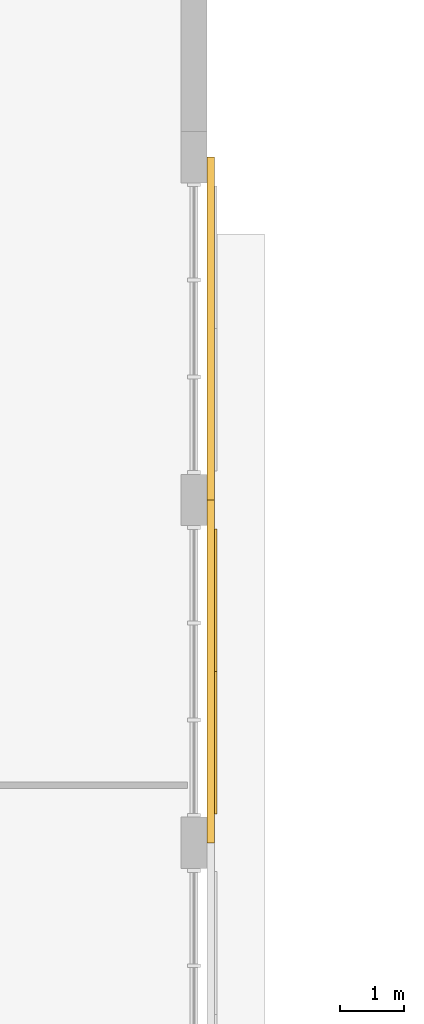
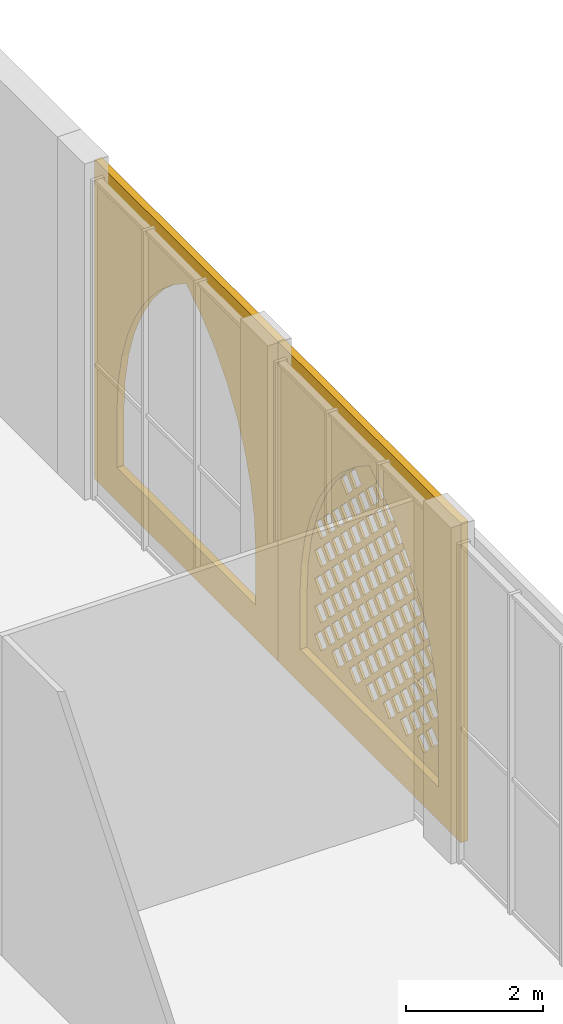
# One storey, part 40 of 74: 3 coverings.
"""IFC4 building model written with IfcOpenShell, lengths in metres."""

from ifc_helpers import new_model, si_unit, direction, frame, origin, place, context, subcontext, project, spatial, polyline, outline, extrude, material, layer, layer_set, type_object, element, save


model = new_model("IFC4")

# Units and contexts
model_context = context("Model", 3, precision=1e-05, world=origin(), true_north=direction((0.0, 1.0)))
body_context = subcontext(model_context, "Body", "Model", "MODEL_VIEW")
ifc_project = project(units=[si_unit("LENGTHUNIT", "METRE"), si_unit("AREAUNIT", "SQUARE_METRE"), si_unit("VOLUMEUNIT", "CUBIC_METRE"), si_unit("PLANEANGLEUNIT", "RADIAN"), si_unit("MASSUNIT", "GRAM", prefix="KILO")], contexts=[model_context])

# Site, building, storey
site_placement = place(None, origin())
site = spatial("IfcSite", under=ifc_project, at=site_placement, CompositionType="ELEMENT")
building_placement = place(site_placement, origin())
building = spatial("IfcBuilding", under=site, at=building_placement, Name="Noorbagh Ring Tower", CompositionType="ELEMENT")
storey_placement = place(building_placement, frame((0.0, 0.0, 7.5)))
storey = spatial("IfcBuildingStorey", under=building, at=storey_placement, Name="L01", CompositionType="ELEMENT", Elevation=7.5)

# Coverings
ifc_material_1 = material(Name="Red sandstone jali", Category="masonry")
ifc_layer_1 = layer(ifc_material_1, 0.0400390625)
ifc_layer_set_1 = layer_set([ifc_layer_1], Name="Red sandstone jali")
covering_type_1 = type_object("IfcCoveringType", Name="STH-JALI", PredefinedType="USERDEFINED", material=ifc_layer_set_1)
covering_1_placement = place(storey_placement, frame((-94.840087890625, -9.25, 0.39990234375), z_axis=(1.0, 0.0, 0.0), x_axis=(0.0, 1.0, 0.0)))
element("IfcCovering", 1, at=covering_1_placement, inside=storey, type_object=covering_type_1, Name="Jali screen", ObjectType="SCREEN", PredefinedType="USERDEFINED", context=body_context, shape_type="SweptSolid", body=[
    extrude(outline(polyline([(0.0, 0.0), (4.449951171875, 0.0), (4.449951171875, 1.0), (4.411865234375, 1.580810546875), (4.29833984375, 2.15185546875), (4.111328125, 2.702880859375), (3.853759765625, 3.22509765625), (3.530517578125, 3.708984375), (3.146484375, 4.146728515625), (2.708984375, 4.530517578125), (2.22509765625, 4.85400390625), (1.740966796875, 4.530517578125), (1.303466796875, 4.146728515625), (0.919677734375, 3.708984375), (0.59619140625, 3.22509765625), (0.338623046875, 2.702880859375), (0.151611328125, 2.15185546875), (0.0380859375, 1.580810546875), (0.0, 1.0), (0.0, 0.0)]), holes=[polyline([(0.669921875, 0.552001953125), (0.85009765625, 0.371826171875), (1.030029296875, 0.552001953125), (0.85009765625, 0.73193359375), (0.669921875, 0.552001953125)]), polyline([(1.169921875, 0.552001953125), (1.35009765625, 0.371826171875), (1.530029296875, 0.552001953125), (1.35009765625, 0.73193359375), (1.169921875, 0.552001953125)]), polyline([(1.669921875, 0.552001953125), (1.85009765625, 0.371826171875), (2.030029296875, 0.552001953125), (1.85009765625, 0.73193359375), (1.669921875, 0.552001953125)]), polyline([(2.169921875, 0.552001953125), (2.35009765625, 0.371826171875), (2.530029296875, 0.552001953125), (2.35009765625, 0.73193359375), (2.169921875, 0.552001953125)]), polyline([(2.669921875, 0.552001953125), (2.85009765625, 0.371826171875), (3.030029296875, 0.552001953125), (2.85009765625, 0.73193359375), (2.669921875, 0.552001953125)]), polyline([(3.169921875, 0.552001953125), (3.35009765625, 0.371826171875), (3.530029296875, 0.552001953125), (3.35009765625, 0.73193359375), (3.169921875, 0.552001953125)]), polyline([(3.669921875, 0.552001953125), (3.85009765625, 0.371826171875), (4.030029296875, 0.552001953125), (3.85009765625, 0.73193359375), (3.669921875, 0.552001953125)]), polyline([(0.419921875, 0.802001953125), (0.60009765625, 0.621826171875), (0.780029296875, 0.802001953125), (0.60009765625, 0.98193359375), (0.419921875, 0.802001953125)]), polyline([(0.919921875, 0.802001953125), (1.10009765625, 0.621826171875), (1.280029296875, 0.802001953125), (1.10009765625, 0.98193359375), (0.919921875, 0.802001953125)]), polyline([(1.419921875, 0.802001953125), (1.60009765625, 0.621826171875), (1.780029296875, 0.802001953125), (1.60009765625, 0.98193359375), (1.419921875, 0.802001953125)]), polyline([(1.919921875, 0.802001953125), (2.10009765625, 0.621826171875), (2.280029296875, 0.802001953125), (2.10009765625, 0.98193359375), (1.919921875, 0.802001953125)]), polyline([(2.419921875, 0.802001953125), (2.60009765625, 0.621826171875), (2.780029296875, 0.802001953125), (2.60009765625, 0.98193359375), (2.419921875, 0.802001953125)]), polyline([(2.919921875, 0.802001953125), (3.10009765625, 0.621826171875), (3.280029296875, 0.802001953125), (3.10009765625, 0.98193359375), (2.919921875, 0.802001953125)]), polyline([(3.419921875, 0.802001953125), (3.60009765625, 0.621826171875), (3.780029296875, 0.802001953125), (3.60009765625, 0.98193359375), (3.419921875, 0.802001953125)]), polyline([(0.669921875, 1.052001953125), (0.85009765625, 0.871826171875), (1.030029296875, 1.052001953125), (0.85009765625, 1.23193359375), (0.669921875, 1.052001953125)]), polyline([(1.169921875, 1.052001953125), (1.35009765625, 0.871826171875), (1.530029296875, 1.052001953125), (1.35009765625, 1.23193359375), (1.169921875, 1.052001953125)]), polyline([(1.669921875, 1.052001953125), (1.85009765625, 0.871826171875), (2.030029296875, 1.052001953125), (1.85009765625, 1.23193359375), (1.669921875, 1.052001953125)]), polyline([(2.169921875, 1.052001953125), (2.35009765625, 0.871826171875), (2.530029296875, 1.052001953125), (2.35009765625, 1.23193359375), (2.169921875, 1.052001953125)]), polyline([(2.669921875, 1.052001953125), (2.85009765625, 0.871826171875), (3.030029296875, 1.052001953125), (2.85009765625, 1.23193359375), (2.669921875, 1.052001953125)]), polyline([(3.169921875, 1.052001953125), (3.35009765625, 0.871826171875), (3.530029296875, 1.052001953125), (3.35009765625, 1.23193359375), (3.169921875, 1.052001953125)]), polyline([(3.669921875, 1.052001953125), (3.85009765625, 0.871826171875), (4.030029296875, 1.052001953125), (3.85009765625, 1.23193359375), (3.669921875, 1.052001953125)]), polyline([(0.419921875, 1.302001953125), (0.60009765625, 1.121826171875), (0.780029296875, 1.302001953125), (0.60009765625, 1.48193359375), (0.419921875, 1.302001953125)]), polyline([(0.919921875, 1.302001953125), (1.10009765625, 1.121826171875), (1.280029296875, 1.302001953125), (1.10009765625, 1.48193359375), (0.919921875, 1.302001953125)]), polyline([(1.419921875, 1.302001953125), (1.60009765625, 1.121826171875), (1.780029296875, 1.302001953125), (1.60009765625, 1.48193359375), (1.419921875, 1.302001953125)]), polyline([(1.919921875, 1.302001953125), (2.10009765625, 1.121826171875), (2.280029296875, 1.302001953125), (2.10009765625, 1.48193359375), (1.919921875, 1.302001953125)]), polyline([(2.419921875, 1.302001953125), (2.60009765625, 1.121826171875), (2.780029296875, 1.302001953125), (2.60009765625, 1.48193359375), (2.419921875, 1.302001953125)]), polyline([(2.919921875, 1.302001953125), (3.10009765625, 1.121826171875), (3.280029296875, 1.302001953125), (3.10009765625, 1.48193359375), (2.919921875, 1.302001953125)]), polyline([(3.419921875, 1.302001953125), (3.60009765625, 1.121826171875), (3.780029296875, 1.302001953125), (3.60009765625, 1.48193359375), (3.419921875, 1.302001953125)]), polyline([(0.669921875, 1.552001953125), (0.85009765625, 1.371826171875), (1.030029296875, 1.552001953125), (0.85009765625, 1.73193359375), (0.669921875, 1.552001953125)]), polyline([(1.169921875, 1.552001953125), (1.35009765625, 1.371826171875), (1.530029296875, 1.552001953125), (1.35009765625, 1.73193359375), (1.169921875, 1.552001953125)]), polyline([(1.669921875, 1.552001953125), (1.85009765625, 1.371826171875), (2.030029296875, 1.552001953125), (1.85009765625, 1.73193359375), (1.669921875, 1.552001953125)]), polyline([(2.169921875, 1.552001953125), (2.35009765625, 1.371826171875), (2.530029296875, 1.552001953125), (2.35009765625, 1.73193359375), (2.169921875, 1.552001953125)]), polyline([(2.669921875, 1.552001953125), (2.85009765625, 1.371826171875), (3.030029296875, 1.552001953125), (2.85009765625, 1.73193359375), (2.669921875, 1.552001953125)]), polyline([(3.169921875, 1.552001953125), (3.35009765625, 1.371826171875), (3.530029296875, 1.552001953125), (3.35009765625, 1.73193359375), (3.169921875, 1.552001953125)]), polyline([(3.669921875, 1.552001953125), (3.85009765625, 1.371826171875), (4.030029296875, 1.552001953125), (3.85009765625, 1.73193359375), (3.669921875, 1.552001953125)]), polyline([(0.419921875, 1.802001953125), (0.60009765625, 1.621826171875), (0.780029296875, 1.802001953125), (0.60009765625, 1.98193359375), (0.419921875, 1.802001953125)]), polyline([(0.919921875, 1.802001953125), (1.10009765625, 1.621826171875), (1.280029296875, 1.802001953125), (1.10009765625, 1.98193359375), (0.919921875, 1.802001953125)]), polyline([(1.419921875, 1.802001953125), (1.60009765625, 1.621826171875), (1.780029296875, 1.802001953125), (1.60009765625, 1.98193359375), (1.419921875, 1.802001953125)]), polyline([(1.919921875, 1.802001953125), (2.10009765625, 1.621826171875), (2.280029296875, 1.802001953125), (2.10009765625, 1.98193359375), (1.919921875, 1.802001953125)]), polyline([(2.419921875, 1.802001953125), (2.60009765625, 1.621826171875), (2.780029296875, 1.802001953125), (2.60009765625, 1.98193359375), (2.419921875, 1.802001953125)]), polyline([(2.919921875, 1.802001953125), (3.10009765625, 1.621826171875), (3.280029296875, 1.802001953125), (3.10009765625, 1.98193359375), (2.919921875, 1.802001953125)]), polyline([(3.419921875, 1.802001953125), (3.60009765625, 1.621826171875), (3.780029296875, 1.802001953125), (3.60009765625, 1.98193359375), (3.419921875, 1.802001953125)]), polyline([(0.669921875, 2.052001953125), (0.85009765625, 1.871826171875), (1.030029296875, 2.052001953125), (0.85009765625, 2.23193359375), (0.669921875, 2.052001953125)]), polyline([(1.169921875, 2.052001953125), (1.35009765625, 1.871826171875), (1.530029296875, 2.052001953125), (1.35009765625, 2.23193359375), (1.169921875, 2.052001953125)]), polyline([(1.669921875, 2.052001953125), (1.85009765625, 1.871826171875), (2.030029296875, 2.052001953125), (1.85009765625, 2.23193359375), (1.669921875, 2.052001953125)]), polyline([(2.169921875, 2.052001953125), (2.35009765625, 1.871826171875), (2.530029296875, 2.052001953125), (2.35009765625, 2.23193359375), (2.169921875, 2.052001953125)]), polyline([(2.669921875, 2.052001953125), (2.85009765625, 1.871826171875), (3.030029296875, 2.052001953125), (2.85009765625, 2.23193359375), (2.669921875, 2.052001953125)]), polyline([(3.169921875, 2.052001953125), (3.35009765625, 1.871826171875), (3.530029296875, 2.052001953125), (3.35009765625, 2.23193359375), (3.169921875, 2.052001953125)]), polyline([(3.669921875, 2.052001953125), (3.85009765625, 1.871826171875), (4.030029296875, 2.052001953125), (3.85009765625, 2.23193359375), (3.669921875, 2.052001953125)]), polyline([(0.419921875, 2.302001953125), (0.60009765625, 2.121826171875), (0.780029296875, 2.302001953125), (0.60009765625, 2.48193359375), (0.419921875, 2.302001953125)]), polyline([(0.919921875, 2.302001953125), (1.10009765625, 2.121826171875), (1.280029296875, 2.302001953125), (1.10009765625, 2.48193359375), (0.919921875, 2.302001953125)]), polyline([(1.419921875, 2.302001953125), (1.60009765625, 2.121826171875), (1.780029296875, 2.302001953125), (1.60009765625, 2.48193359375), (1.419921875, 2.302001953125)]), polyline([(1.919921875, 2.302001953125), (2.10009765625, 2.121826171875), (2.280029296875, 2.302001953125), (2.10009765625, 2.48193359375), (1.919921875, 2.302001953125)]), polyline([(2.419921875, 2.302001953125), (2.60009765625, 2.121826171875), (2.780029296875, 2.302001953125), (2.60009765625, 2.48193359375), (2.419921875, 2.302001953125)]), polyline([(2.919921875, 2.302001953125), (3.10009765625, 2.121826171875), (3.280029296875, 2.302001953125), (3.10009765625, 2.48193359375), (2.919921875, 2.302001953125)]), polyline([(3.419921875, 2.302001953125), (3.60009765625, 2.121826171875), (3.780029296875, 2.302001953125), (3.60009765625, 2.48193359375), (3.419921875, 2.302001953125)]), polyline([(0.669921875, 2.552001953125), (0.85009765625, 2.371826171875), (1.030029296875, 2.552001953125), (0.85009765625, 2.73193359375), (0.669921875, 2.552001953125)]), polyline([(1.169921875, 2.552001953125), (1.35009765625, 2.371826171875), (1.530029296875, 2.552001953125), (1.35009765625, 2.73193359375), (1.169921875, 2.552001953125)]), polyline([(1.669921875, 2.552001953125), (1.85009765625, 2.371826171875), (2.030029296875, 2.552001953125), (1.85009765625, 2.73193359375), (1.669921875, 2.552001953125)]), polyline([(2.169921875, 2.552001953125), (2.35009765625, 2.371826171875), (2.530029296875, 2.552001953125), (2.35009765625, 2.73193359375), (2.169921875, 2.552001953125)]), polyline([(2.669921875, 2.552001953125), (2.85009765625, 2.371826171875), (3.030029296875, 2.552001953125), (2.85009765625, 2.73193359375), (2.669921875, 2.552001953125)]), polyline([(3.169921875, 2.552001953125), (3.35009765625, 2.371826171875), (3.530029296875, 2.552001953125), (3.35009765625, 2.73193359375), (3.169921875, 2.552001953125)]), polyline([(3.669921875, 2.552001953125), (3.85009765625, 2.371826171875), (4.030029296875, 2.552001953125), (3.85009765625, 2.73193359375), (3.669921875, 2.552001953125)]), polyline([(0.919921875, 2.802001953125), (1.10009765625, 2.621826171875), (1.280029296875, 2.802001953125), (1.10009765625, 2.98193359375), (0.919921875, 2.802001953125)]), polyline([(1.419921875, 2.802001953125), (1.60009765625, 2.621826171875), (1.780029296875, 2.802001953125), (1.60009765625, 2.98193359375), (1.419921875, 2.802001953125)]), polyline([(1.919921875, 2.802001953125), (2.10009765625, 2.621826171875), (2.280029296875, 2.802001953125), (2.10009765625, 2.98193359375), (1.919921875, 2.802001953125)]), polyline([(2.419921875, 2.802001953125), (2.60009765625, 2.621826171875), (2.780029296875, 2.802001953125), (2.60009765625, 2.98193359375), (2.419921875, 2.802001953125)]), polyline([(2.919921875, 2.802001953125), (3.10009765625, 2.621826171875), (3.280029296875, 2.802001953125), (3.10009765625, 2.98193359375), (2.919921875, 2.802001953125)]), polyline([(3.419921875, 2.802001953125), (3.60009765625, 2.621826171875), (3.780029296875, 2.802001953125), (3.60009765625, 2.98193359375), (3.419921875, 2.802001953125)]), polyline([(0.669921875, 3.052001953125), (0.85009765625, 2.871826171875), (1.030029296875, 3.052001953125), (0.85009765625, 3.23193359375), (0.669921875, 3.052001953125)]), polyline([(1.169921875, 3.052001953125), (1.35009765625, 2.871826171875), (1.530029296875, 3.052001953125), (1.35009765625, 3.23193359375), (1.169921875, 3.052001953125)]), polyline([(1.669921875, 3.052001953125), (1.85009765625, 2.871826171875), (2.030029296875, 3.052001953125), (1.85009765625, 3.23193359375), (1.669921875, 3.052001953125)]), polyline([(2.169921875, 3.052001953125), (2.35009765625, 2.871826171875), (2.530029296875, 3.052001953125), (2.35009765625, 3.23193359375), (2.169921875, 3.052001953125)]), polyline([(2.669921875, 3.052001953125), (2.85009765625, 2.871826171875), (3.030029296875, 3.052001953125), (2.85009765625, 3.23193359375), (2.669921875, 3.052001953125)]), polyline([(3.169921875, 3.052001953125), (3.35009765625, 2.871826171875), (3.530029296875, 3.052001953125), (3.35009765625, 3.23193359375), (3.169921875, 3.052001953125)]), polyline([(0.919921875, 3.302001953125), (1.10009765625, 3.121826171875), (1.280029296875, 3.302001953125), (1.10009765625, 3.48193359375), (0.919921875, 3.302001953125)]), polyline([(1.419921875, 3.302001953125), (1.60009765625, 3.121826171875), (1.780029296875, 3.302001953125), (1.60009765625, 3.48193359375), (1.419921875, 3.302001953125)]), polyline([(1.919921875, 3.302001953125), (2.10009765625, 3.121826171875), (2.280029296875, 3.302001953125), (2.10009765625, 3.48193359375), (1.919921875, 3.302001953125)]), polyline([(2.419921875, 3.302001953125), (2.60009765625, 3.121826171875), (2.780029296875, 3.302001953125), (2.60009765625, 3.48193359375), (2.419921875, 3.302001953125)]), polyline([(2.919921875, 3.302001953125), (3.10009765625, 3.121826171875), (3.280029296875, 3.302001953125), (3.10009765625, 3.48193359375), (2.919921875, 3.302001953125)]), polyline([(1.169921875, 3.552001953125), (1.35009765625, 3.371826171875), (1.530029296875, 3.552001953125), (1.35009765625, 3.73193359375), (1.169921875, 3.552001953125)]), polyline([(1.669921875, 3.552001953125), (1.85009765625, 3.371826171875), (2.030029296875, 3.552001953125), (1.85009765625, 3.73193359375), (1.669921875, 3.552001953125)]), polyline([(2.169921875, 3.552001953125), (2.35009765625, 3.371826171875), (2.530029296875, 3.552001953125), (2.35009765625, 3.73193359375), (2.169921875, 3.552001953125)]), polyline([(2.669921875, 3.552001953125), (2.85009765625, 3.371826171875), (3.030029296875, 3.552001953125), (2.85009765625, 3.73193359375), (2.669921875, 3.552001953125)]), polyline([(1.419921875, 3.802001953125), (1.60009765625, 3.621826171875), (1.780029296875, 3.802001953125), (1.60009765625, 3.98193359375), (1.419921875, 3.802001953125)]), polyline([(1.919921875, 3.802001953125), (2.10009765625, 3.621826171875), (2.280029296875, 3.802001953125), (2.10009765625, 3.98193359375), (1.919921875, 3.802001953125)]), polyline([(2.419921875, 3.802001953125), (2.60009765625, 3.621826171875), (2.780029296875, 3.802001953125), (2.60009765625, 3.98193359375), (2.419921875, 3.802001953125)]), polyline([(2.919921875, 3.802001953125), (3.10009765625, 3.621826171875), (3.280029296875, 3.802001953125), (3.10009765625, 3.98193359375), (2.919921875, 3.802001953125)]), polyline([(1.669921875, 4.052001953125), (1.85009765625, 3.871826171875), (2.030029296875, 4.052001953125), (1.85009765625, 4.23193359375), (1.669921875, 4.052001953125)]), polyline([(2.169921875, 4.052001953125), (2.35009765625, 3.871826171875), (2.530029296875, 4.052001953125), (2.35009765625, 4.23193359375), (2.169921875, 4.052001953125)]), polyline([(2.669921875, 4.052001953125), (2.85009765625, 3.871826171875), (3.030029296875, 4.052001953125), (2.85009765625, 4.23193359375), (2.669921875, 4.052001953125)]), polyline([(1.919921875, 4.302001953125), (2.10009765625, 4.121826171875), (2.280029296875, 4.302001953125), (2.10009765625, 4.48193359375), (1.919921875, 4.302001953125)])]), origin(), (0.0, 0.0, -1.0), 0.0400390625),
])
ifc_material_2 = material(Name="Red sandstone cladding", Category="masonry")
ifc_layer_2 = layer(ifc_material_2, 0.1201171875)
ifc_layer_set_2 = layer_set([ifc_layer_2], Name="Red sandstone cladding")
covering_type_2 = type_object("IfcCoveringType", Name="STH-SPANDREL", PredefinedType="USERDEFINED", material=ifc_layer_set_2)
covering_2_placement = place(storey_placement, frame((-94.8798828125, -9.699951171875, 0.0), z_axis=(1.0, 0.0, 0.0), x_axis=(0.0, 1.0, 0.0)))
element("IfcCovering", 2, at=covering_2_placement, inside=storey, type_object=covering_type_2, Name="Arch spandrel", ObjectType="ARCH", PredefinedType="USERDEFINED", context=body_context, shape_type="SweptSolid", body=[
    extrude(outline(polyline([(0.0, 0.0), (5.349853515625, 0.0), (5.349853515625, 5.699951171875), (0.0, 5.699951171875), (0.0, 0.0)]), holes=[polyline([(0.64990234375, 0.60009765625), (0.64990234375, 1.60009765625), (0.6845703125, 2.128662109375), (0.7880859375, 2.648193359375), (0.958251953125, 3.14990234375), (1.192626953125, 3.625), (1.48681640625, 4.0654296875), (1.836181640625, 4.4638671875), (2.234619140625, 4.81298828125), (2.675048828125, 5.107421875), (3.115478515625, 4.81298828125), (3.513916015625, 4.4638671875), (3.863037109375, 4.0654296875), (4.157470703125, 3.625), (4.3916015625, 3.14990234375), (4.56201171875, 2.648193359375), (4.665283203125, 2.128662109375), (4.699951171875, 1.60009765625), (4.699951171875, 0.60009765625), (0.64990234375, 0.60009765625)])]), origin(), (0.0, 0.0, -1.0), 0.1201171875),
])
covering_3_placement = place(storey_placement, frame((-94.8798828125, -4.35009765625, 0.0), z_axis=(1.0, 0.0, 0.0), x_axis=(0.0, 1.0, 0.0)))
element("IfcCovering", 3, at=covering_3_placement, inside=storey, type_object=covering_type_2, Name="Arch spandrel", ObjectType="ARCH", PredefinedType="USERDEFINED", context=body_context, shape_type="SweptSolid", body=[
    extrude(outline(polyline([(0.0, 0.0), (5.35009765625, 0.0), (5.35009765625, 5.699951171875), (0.0, 5.699951171875), (0.0, 0.0)]), holes=[polyline([(0.64990234375, 0.60009765625), (0.64990234375, 1.60009765625), (0.6845703125, 2.128662109375), (0.7880859375, 2.648193359375), (0.958251953125, 3.14990234375), (1.192626953125, 3.625), (1.48681640625, 4.0654296875), (1.836181640625, 4.4638671875), (2.234619140625, 4.81298828125), (2.675048828125, 5.107421875), (3.115478515625, 4.81298828125), (3.513916015625, 4.4638671875), (3.863037109375, 4.0654296875), (4.157470703125, 3.625), (4.3916015625, 3.14990234375), (4.56201171875, 2.648193359375), (4.665283203125, 2.128662109375), (4.699951171875, 1.60009765625), (4.699951171875, 0.60009765625), (0.64990234375, 0.60009765625)])]), origin(), (0.0, 0.0, -1.0), 0.1201171875),
])

save(model, "model.ifc")
